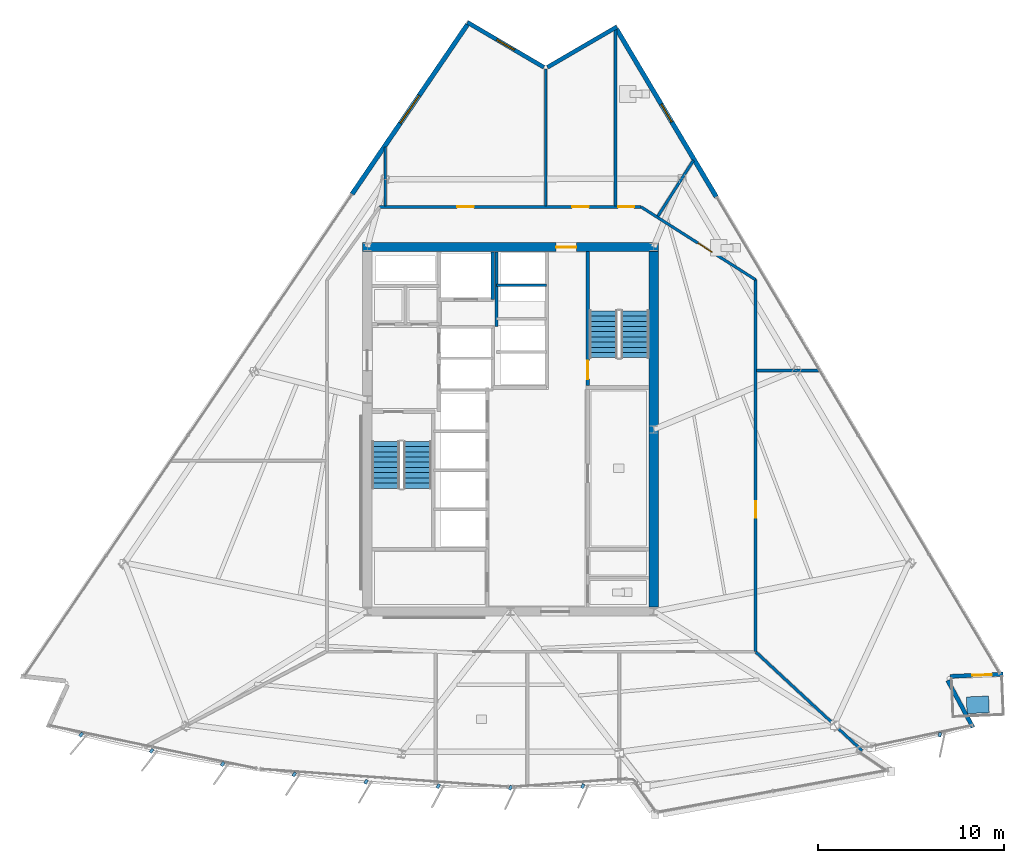
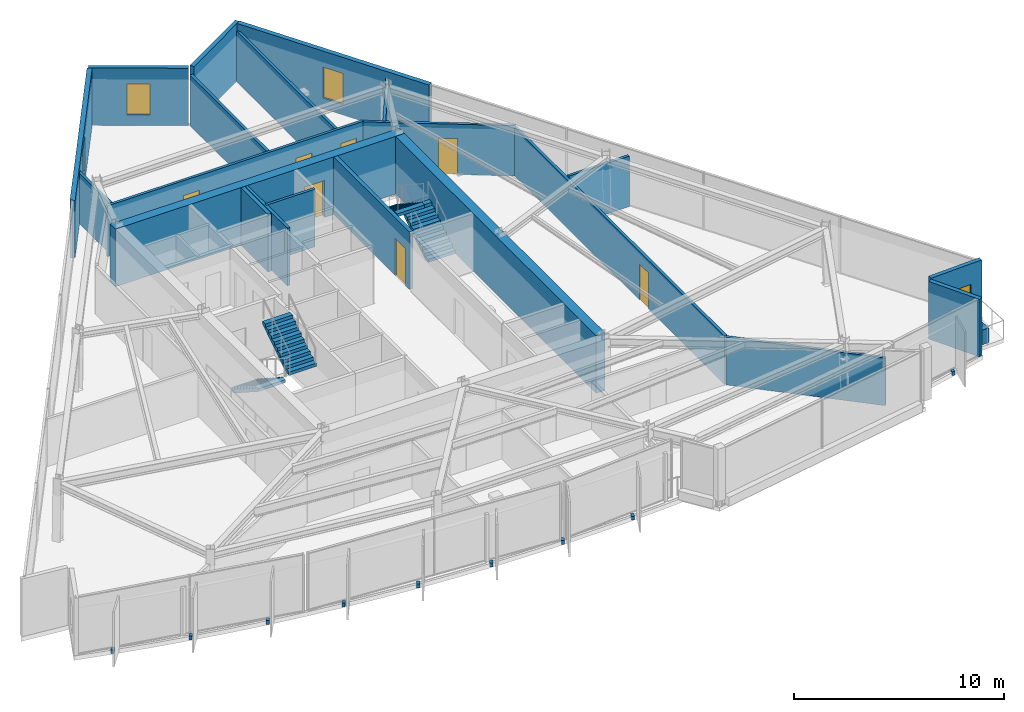
# One storey, part 8 of 12: 21 walls, 10 discrete accessories, 8 doors, 4 stair flights, 3 windows, 11 openings, 2 elements without a shape of their own.
"""IFC4 building model written with IfcOpenShell, lengths in metres."""

from ifc_helpers import new_model, si_unit, direction, frame, frame_2d, origin, origin_2d, place, context, subcontext, project, spatial, polyline, rectangle, outline, extrude, material, layer, layer_set, type_object, element, fill, aggregate, save


model = new_model("IFC4")

# Units and contexts
model_context = context("Model", 3, precision=1e-05, world=origin(), true_north=direction((0.0, 1.0)))
body_context = subcontext(model_context, "Body", "Model", "MODEL_VIEW")
ifc_project = project(units=[si_unit("LENGTHUNIT", "METRE"), si_unit("AREAUNIT", "SQUARE_METRE"), si_unit("VOLUMEUNIT", "CUBIC_METRE"), si_unit("PLANEANGLEUNIT", "RADIAN"), si_unit("MASSUNIT", "GRAM", prefix="KILO")], contexts=[model_context])

# Site, building, storey
site_placement = place(None, origin())
site = spatial("IfcSite", under=ifc_project, at=site_placement, CompositionType="ELEMENT")
building_placement = place(site_placement, origin())
building = spatial("IfcBuilding", under=site, at=building_placement, Name="Savorim Split Tower", CompositionType="ELEMENT")
storey_placement = place(building_placement, frame((0.0, 0.0, 171.0)))
storey = spatial("IfcBuildingStorey", under=building, at=storey_placement, Name="L45", CompositionType="ELEMENT", Elevation=171.0)

# Wall, opening, door
ifc_material_1 = material(Name="Concrete C60/75", Category="concrete")
ifc_layer_1 = layer(ifc_material_1, 0.5)
ifc_layer_set_1 = layer_set([ifc_layer_1], Name="WAL-COR-SH500")
wall_type_1 = type_object("IfcWallType", Name="WAL-COR-SH500", PredefinedType="SHEAR", material=ifc_layer_set_1)
wall_1_placement = place(storey_placement, frame((7.949951171875, 10.199951171875, 0.0), z_axis=(0.0, 0.0, 1.0), x_axis=(-1.0, 0.0, 0.0)))
wall_1 = element("IfcWall", 1, at=wall_1_placement, inside=storey, type_object=wall_type_1, Name="L45 Offset Core North Shear Wall", PredefinedType="SHEAR", context=body_context, shape_type="SweptSolid", body=[
    extrude(rectangle(XDim=15.89990234375, YDim=0.5, at=frame_2d((7.949951171875, 0.0))), origin(), (0.0, 0.0, 1.0), 3.35009765625),
])
opening_1_placement = place(wall_1_placement, frame((4.39990234375, 0.0, 0.0)))
opening_1 = element("IfcOpeningElement", 2, at=opening_1_placement, cuts=wall_1, Name="Opening DI-03", PredefinedType="OPENING", context=body_context, shape_type="SweptSolid", body=[
    extrude(rectangle(XDim=1.10009765625, YDim=2.14990234375, at=frame_2d((0.550048828125, 1.074951171875))), frame((0.0, 0.260009765625, 0.0), z_axis=(0.0, -1.0, 0.0), x_axis=(1.0, 0.0, 0.0)), (0.0, 0.0, 1.0), 0.52001953125),
])
ifc_material_2 = material(Name="Timber Fire Door Leaf", Category="wood")
door_type_1 = type_object("IfcDoorType", Name="DOR-FIR-1100", OperationType="NOTDEFINED", PredefinedType="DOOR", material=ifc_material_2)
door_1_placement = place(opening_1_placement, origin())
door_1 = element("IfcDoor", 3, at=door_1_placement, inside=storey, type_object=door_type_1, Name="DOR-L45-COR-NLOB - L45 North Corridor Lobby Fire Door", OperationType="SINGLE_SWING_RIGHT", OverallHeight=2.14990234375, OverallWidth=1.10009765625, PredefinedType="DOOR", context=body_context, shape_type="SweptSolid", body=[
    extrude(rectangle(XDim=1.10009765625, YDim=2.14990234375, at=frame_2d((0.550048828125, 1.074951171875))), frame((0.0, 0.02490234375, 0.0), z_axis=(0.0, -1.0, 0.0), x_axis=(1.0, 0.0, 0.0)), (0.0, 0.0, 1.0), 0.050048828125),
])
fill(opening_1, door_1)

# Walls
wall_2_placement = place(storey_placement, frame((7.699951171875, 9.949951171875, 0.0), z_axis=(0.0, 0.0, 1.0), x_axis=(0.0, -1.0, 0.0)))
element("IfcWall", 4, at=wall_2_placement, inside=storey, type_object=wall_type_1, Name="L45 Offset Core East Shear Wall", PredefinedType="SHEAR", context=body_context, shape_type="SweptSolid", body=[
    extrude(rectangle(XDim=19.099853515625, YDim=0.5, at=frame_2d((9.5498046875, 0.0))), origin(), (0.0, 0.0, 1.0), 3.35009765625),
])
ifc_material_3 = material(Name="Precast concrete C40/50", Category="concrete")
ifc_layer_2 = layer(ifc_material_3, 0.219970703125)
ifc_layer_set_2 = layer_set([ifc_layer_2], Name="WAL-EXT-CRN220")
wall_type_2 = type_object("IfcWallType", Name="WAL-EXT-CRN220", PredefinedType="SOLIDWALL", material=ifc_layer_set_2)
wall_3_placement = place(storey_placement, frame((23.51123046875, -13.102294921875, 0.0), z_axis=(0.0, 0.0, 1.0), x_axis=(0.472804807667, -0.881167188362, 0.0)))
element("IfcWall", 5, at=wall_3_placement, inside=storey, type_object=wall_type_2, Name="L45 Notched Corner Facade Wall SE1", PredefinedType="SOLIDWALL", context=body_context, shape_type="SweptSolid", body=[
    extrude(rectangle(XDim=2.867919921875, YDim=0.219970703125, at=frame_2d((1.43408203125, 0.0))), origin(), (0.0, 0.0, 1.0), 3.35009765625),
])

# Wall, opening, door
wall_4_placement = place(storey_placement, frame((26.495849609375, -12.766845703125, 0.0), z_axis=(0.0, 0.0, 1.0), x_axis=(-0.999095763679, -0.042516526188, 0.0)))
wall_4 = element("IfcWall", 6, at=wall_4_placement, inside=storey, type_object=wall_type_2, Name="L45 Notched Corner Facade Wall SE", PredefinedType="SOLIDWALL", context=body_context, shape_type="SweptSolid", body=[
    extrude(rectangle(XDim=2.865478515625, YDim=0.219970703125, at=frame_2d((1.4326171875, 0.0))), origin(), (0.0, 0.0, 1.0), 3.35009765625),
])
opening_2_placement = place(wall_4_placement, frame((0.607666015625, 0.0, 0.0)))
opening_2 = element("IfcOpeningElement", 7, at=opening_2_placement, cuts=wall_4, Name="Opening DB-01", PredefinedType="OPENING", context=body_context, shape_type="SweptSolid", body=[
    extrude(rectangle(XDim=1.050048828125, YDim=2.14990234375, at=frame_2d((0.52490234375, 1.074951171875))), frame((0.0, 0.119873046875, 0.0), z_axis=(0.0, -1.0, 0.0), x_axis=(1.0, 0.0, 0.0)), (0.0, 0.0, 1.0), 0.239990234375),
])
ifc_material_4 = material(Name="Charcoal Anodised Aluminium", Category="aluminium")
door_type_2 = type_object("IfcDoorType", Name="DOR-BAL-1050", OperationType="NOTDEFINED", PredefinedType="DOOR", material=ifc_material_4)
door_2_placement = place(opening_2_placement, origin())
door_2 = element("IfcDoor", 8, at=door_2_placement, inside=storey, type_object=door_type_2, Name="DOR-L45-TBAL-SE - L45 Planted Tree Balcony Door SE", OperationType="SINGLE_SWING_RIGHT", OverallHeight=2.14990234375, OverallWidth=1.050048828125, PredefinedType="DOOR", context=body_context, shape_type="SweptSolid", body=[
    extrude(rectangle(XDim=1.050048828125, YDim=2.14990234375, at=frame_2d((0.52490234375, 1.074951171875))), frame((0.0, 0.02490234375, 0.0), z_axis=(0.0, -1.0, 0.0), x_axis=(1.0, 0.0, 0.0)), (0.0, 0.0, 1.0), 0.050048828125),
])
fill(opening_2, door_2)

# Wall
wall_5_placement = place(storey_placement, frame((1.987060546875, 19.867919921875, 0.0), z_axis=(0.0, 0.0, 1.0), x_axis=(0.863979520686, 0.503526948469, 0.0)))
element("IfcWall", 9, at=wall_5_placement, inside=storey, type_object=wall_type_2, Name="L45 Notched Corner Facade Wall NE1", PredefinedType="SOLIDWALL", context=body_context, shape_type="SweptSolid", body=[
    extrude(rectangle(XDim=4.323974609375, YDim=0.219970703125, at=frame_2d((2.162109375, 0.0))), origin(), (0.0, 0.0, 1.0), 3.35009765625),
])

# Wall, opening, window
wall_6_placement = place(storey_placement, frame((-2.32177734375, 22.288818359375, 0.0), z_axis=(0.0, 0.0, 1.0), x_axis=(0.862111523483, -0.506718581738, 0.0)))
wall_6 = element("IfcWall", 10, at=wall_6_placement, inside=storey, type_object=wall_type_2, Name="L45 Notched Corner Facade Wall N", PredefinedType="SOLIDWALL", context=body_context, shape_type="SweptSolid", body=[
    extrude(rectangle(XDim=4.777099609375, YDim=0.219970703125, at=frame_2d((2.388671875, 0.0))), origin(), (0.0, 0.0, 1.0), 3.35009765625),
])
opening_3_placement = place(wall_6_placement, frame((1.838623046875, 0.0, 0.6201171875)))
opening_3 = element("IfcOpeningElement", 11, at=opening_3_placement, cuts=wall_6, Name="Opening WN-09", PredefinedType="OPENING", context=body_context, shape_type="SweptSolid", body=[
    extrude(rectangle(XDim=1.10009765625, YDim=1.800048828125, at=frame_2d((0.550048828125, 0.89990234375))), frame((0.0, 0.119873046875, 0.0), z_axis=(0.0, -1.0, 0.0), x_axis=(1.0, 0.0, 0.0)), (0.0, 0.0, 1.0), 0.239990234375),
])
ifc_material_5 = material(Name="Low-E Operable Double Glazing", Category="glass")
window_type_1 = type_object("IfcWindowType", Name="WIN-TWR-1100x1800", PartitioningType="SINGLE_PANEL", PredefinedType="WINDOW", material=ifc_material_5)
window_1_placement = place(opening_3_placement, origin())
window_1 = element("IfcWindow", 12, at=window_1_placement, inside=storey, type_object=window_type_1, Name="L45 Operable Corner Window N", OverallHeight=1.800048828125, OverallWidth=1.10009765625, PartitioningType="SINGLE_PANEL", PredefinedType="WINDOW", context=body_context, shape_type="SweptSolid", body=[
    extrude(rectangle(XDim=1.10009765625, YDim=1.800048828125, at=frame_2d((0.550048828125, 0.89990234375))), frame((0.0, 0.030029296875, 0.0), z_axis=(0.0, -1.0, 0.0), x_axis=(1.0, 0.0, 0.0)), (0.0, 0.0, 1.0), 0.06005859375),
])
fill(opening_3, window_1)

ifc_layer_3 = layer(ifc_material_3, 0.25)
ifc_layer_set_3 = layer_set([ifc_layer_3], Name="WAL-EXT-SPN250")
wall_type_3 = type_object("IfcWallType", Name="WAL-EXT-SPN250", PredefinedType="SOLIDWALL", material=ifc_layer_set_3)
wall_7_placement = place(storey_placement, frame((5.706298828125, 21.918701171875, 0.0), z_axis=(0.0, 0.0, 1.0), x_axis=(0.511079110892, -0.859533677298, 0.0)))
wall_7 = element("IfcWall", 13, at=wall_7_placement, inside=storey, type_object=wall_type_3, Name="L45 East Operable Window Pier", PredefinedType="SOLIDWALL", context=body_context, shape_type="SweptSolid", body=[
    extrude(rectangle(XDim=10.4892578125, YDim=0.25, at=frame_2d((5.24462890625, 0.0))), origin(), (0.0, 0.0, 1.0), 3.35009765625),
])
opening_4_placement = place(wall_7_placement, frame((4.694580078125, 0.0, 0.6201171875)))
opening_4 = element("IfcOpeningElement", 14, at=opening_4_placement, cuts=wall_7, Name="Opening WN-09", PredefinedType="OPENING", context=body_context, shape_type="SweptSolid", body=[
    extrude(rectangle(XDim=1.10009765625, YDim=1.800048828125, at=frame_2d((0.550048828125, 0.89990234375))), frame((0.0, 0.135009765625, 0.0), z_axis=(0.0, -1.0, 0.0), x_axis=(1.0, 0.0, 0.0)), (0.0, 0.0, 1.0), 0.27001953125),
])
window_2_placement = place(opening_4_placement, origin())
window_2 = element("IfcWindow", 15, at=window_2_placement, inside=storey, type_object=window_type_1, Name="L45 East Operable Ventilation Window", OverallHeight=1.800048828125, OverallWidth=1.10009765625, PartitioningType="SINGLE_PANEL", PredefinedType="WINDOW", context=body_context, shape_type="SweptSolid", body=[
    extrude(rectangle(XDim=1.10009765625, YDim=1.800048828125, at=frame_2d((0.550048828125, 0.89990234375))), frame((0.0, 0.030029296875, 0.0), z_axis=(0.0, -1.0, 0.0), x_axis=(1.0, 0.0, 0.0)), (0.0, 0.0, 1.0), 0.06005859375),
])
fill(opening_4, window_2)

wall_8_placement = place(storey_placement, frame((-8.51708984375, 13.053466796875, 0.0), z_axis=(0.0, 0.0, 1.0), x_axis=(0.562463961516, 0.826821801838, 0.0)))
wall_8 = element("IfcWall", 16, at=wall_8_placement, inside=storey, type_object=wall_type_3, Name="L45 West Operable Window Pier", PredefinedType="SOLIDWALL", context=body_context, shape_type="SweptSolid", body=[
    extrude(rectangle(XDim=11.017578125, YDim=0.25, at=frame_2d((5.5087890625, 0.0))), origin(), (0.0, 0.0, 1.0), 3.35009765625),
])
opening_5_placement = place(wall_8_placement, frame((4.60888671875, 0.0, 0.6201171875)))
opening_5 = element("IfcOpeningElement", 17, at=opening_5_placement, cuts=wall_8, Name="Opening WN-04", PredefinedType="OPENING", context=body_context, shape_type="SweptSolid", body=[
    extrude(rectangle(XDim=1.800048828125, YDim=2.10009765625, at=frame_2d((0.89990234375, 1.050048828125))), frame((0.0, 0.135009765625, 0.0), z_axis=(0.0, -1.0, 0.0), x_axis=(1.0, 0.0, 0.0)), (0.0, 0.0, 1.0), 0.27001953125),
])
window_type_2 = type_object("IfcWindowType", Name="WIN-TWR-1800x2100", PartitioningType="DOUBLE_PANEL_VERTICAL", PredefinedType="WINDOW", material=ifc_material_5)
window_3_placement = place(opening_5_placement, origin())
window_3 = element("IfcWindow", 18, at=window_3_placement, inside=storey, type_object=window_type_2, Name="L45 West Operable Ventilation Window", OverallHeight=2.10009765625, OverallWidth=1.800048828125, PartitioningType="SINGLE_PANEL", PredefinedType="WINDOW", context=body_context, shape_type="SweptSolid", body=[
    extrude(rectangle(XDim=1.800048828125, YDim=2.10009765625, at=frame_2d((0.89990234375, 1.050048828125))), frame((0.0, 0.030029296875, 0.0), z_axis=(0.0, -1.0, 0.0), x_axis=(1.0, 0.0, 0.0)), (0.0, 0.0, 1.0), 0.06005859375),
])
fill(opening_5, window_3)

# Wall, opening, door
ifc_material_6 = material(Name="Concrete C50/60", Category="concrete")
ifc_layer_4 = layer(ifc_material_6, 0.199951171875)
ifc_layer_set_4 = layer_set([ifc_layer_4], Name="WAL-INT-RC200")
wall_type_4 = type_object("IfcWallType", Name="WAL-INT-RC200", PredefinedType="SOLIDWALL", material=ifc_layer_set_4)
wall_9_placement = place(storey_placement, frame((4.14990234375, 2.75, 0.0), z_axis=(0.0, 0.0, 1.0), x_axis=(0.0, 1.0, 0.0)))
wall_9 = element("IfcWall", 19, at=wall_9_placement, inside=storey, type_object=wall_type_4, Name="L45 Structural Shaft Wall W-L45-CR07", PredefinedType="SOLIDWALL", context=body_context, shape_type="SweptSolid", body=[
    extrude(rectangle(XDim=7.199951171875, YDim=0.199951171875, at=frame_2d((3.60009765625, 0.0))), origin(), (0.0, 0.0, 1.0), 3.35009765625),
])
opening_6_placement = place(wall_9_placement, frame((0.35009765625, 0.0, 0.0)))
opening_6 = element("IfcOpeningElement", 20, at=opening_6_placement, cuts=wall_9, Name="Opening DI-04", PredefinedType="OPENING", context=body_context, shape_type="SweptSolid", body=[
    extrude(rectangle(XDim=1.0, YDim=2.14990234375, at=frame_2d((0.5, 1.074951171875))), frame((0.0, 0.10986328125, 0.0), z_axis=(0.0, -1.0, 0.0), x_axis=(1.0, 0.0, 0.0)), (0.0, 0.0, 1.0), 0.219970703125),
])
door_type_3 = type_object("IfcDoorType", Name="DOR-FIR-1000", OperationType="NOTDEFINED", PredefinedType="DOOR", material=ifc_material_2)
door_3_placement = place(opening_6_placement, origin())
door_3 = element("IfcDoor", 21, at=door_3_placement, inside=storey, type_object=door_type_3, Name="DR-L45-ST2 - L45 Stair ST-2 Enclosure Door", OperationType="SINGLE_SWING_RIGHT", OverallHeight=2.14990234375, OverallWidth=1.0, PredefinedType="DOOR", context=body_context, shape_type="SweptSolid", body=[
    extrude(rectangle(XDim=1.0, YDim=2.14990234375, at=frame_2d((0.5, 1.074951171875))), frame((0.0, 0.02490234375, 0.0), z_axis=(0.0, -1.0, 0.0), x_axis=(1.0, 0.0, 0.0)), (0.0, 0.0, 1.0), 0.050048828125),
])
fill(opening_6, door_3)

# Walls
wall_10_placement = place(storey_placement, frame((-0.949951171875, 7.3798828125, 0.0), z_axis=(0.0, 0.0, 1.0), x_axis=(0.0, 1.0, 0.0)))
element("IfcWall", 22, at=wall_10_placement, inside=storey, type_object=wall_type_4, Name="L45 Partition W-L45-SVLE", PredefinedType="SOLIDWALL", context=body_context, shape_type="SweptSolid", body=[
    extrude(rectangle(XDim=2.565185546875, YDim=0.199951171875, at=frame_2d((1.28271484375, 0.0))), origin(), (0.0, 0.0, 1.0), 3.35009765625),
])
ifc_material_7 = material(Name="Acoustic Gypsum Partition Board")
ifc_layer_5 = layer(ifc_material_7, 0.14990234375)
ifc_layer_set_5 = layer_set([ifc_layer_5], Name="WAL-PAR-150")
wall_type_5 = type_object("IfcWallType", Name="WAL-PAR-150", PredefinedType="PARTITIONING", material=ifc_layer_set_5)
wall_11_placement = place(storey_placement, frame((-0.75, 5.919921875, 0.0), z_axis=(0.0, 0.0, 1.0), x_axis=(0.0, 1.0, 0.0)))
element("IfcWall", 23, at=wall_11_placement, inside=storey, type_object=wall_type_5, Name="L45 Partition W-L45-B3WEST", PredefinedType="PARTITIONING", context=body_context, shape_type="SweptSolid", body=[
    extrude(rectangle(XDim=4.025146484375, YDim=0.14990234375, at=frame_2d((2.0126953125, 0.0))), origin(), (0.0, 0.0, 1.0), 3.35009765625),
])
wall_12_placement = place(storey_placement, frame((-0.75, 8.14990234375, 0.0), z_axis=(0.0, 0.0, 1.0), x_axis=(1.0, 0.0, 0.0)))
element("IfcWall", 24, at=wall_12_placement, inside=storey, type_object=wall_type_5, Name="L45 Partition W-L45-B3DIV3", PredefinedType="PARTITIONING", context=body_context, shape_type="SweptSolid", body=[
    extrude(rectangle(XDim=2.699951171875, YDim=0.14990234375, at=frame_2d((1.35009765625, 0.0))), origin(), (0.0, 0.0, 1.0), 3.35009765625),
])

# Wall, openings, doors
wall_13_placement = place(storey_placement, frame((-7.041015625, 12.360107421875, 0.0), z_axis=(0.0, 0.0, 1.0), x_axis=(1.0, 0.0, 0.0)))
wall_13 = element("IfcWall", 25, at=wall_13_placement, inside=storey, type_object=wall_type_5, Name="L45 Partition W-L45-COR-03", PredefinedType="PARTITIONING", context=body_context, shape_type="SweptSolid", body=[
    extrude(rectangle(XDim=14.064208984375, YDim=0.14990234375, at=frame_2d((7.0322265625, 0.0))), origin(), (0.0, 0.0, 1.0), 2.965087890625),
])
opening_7_placement = place(wall_13_placement, frame((12.83349609375, 0.0, 0.0)))
opening_7 = element("IfcOpeningElement", 26, at=opening_7_placement, cuts=wall_13, Name="Opening DI-13", PredefinedType="OPENING", context=body_context, shape_type="SweptSolid", body=[
    extrude(rectangle(XDim=0.85009765625, YDim=2.10009765625, at=frame_2d((0.425048828125, 1.050048828125))), frame((0.0, 0.0849609375, 0.0), z_axis=(0.0, -1.0, 0.0), x_axis=(1.0, 0.0, 0.0)), (0.0, 0.0, 1.0), 0.169921875),
])
opening_8_placement = place(wall_13_placement, frame((10.356689453125, 0.0, 0.0)))
opening_8 = element("IfcOpeningElement", 27, at=opening_8_placement, cuts=wall_13, Name="Opening DI-06", PredefinedType="OPENING", context=body_context, shape_type="SweptSolid", body=[
    extrude(rectangle(XDim=0.89990234375, YDim=2.10009765625, at=frame_2d((0.449951171875, 1.050048828125))), frame((0.0, 0.0849609375, 0.0), z_axis=(0.0, -1.0, 0.0), x_axis=(1.0, 0.0, 0.0)), (0.0, 0.0, 1.0), 0.169921875),
])
opening_9_placement = place(wall_13_placement, frame((4.16650390625, 0.0, 0.0)))
opening_9 = element("IfcOpeningElement", 28, at=opening_9_placement, cuts=wall_13, Name="Opening DI-06", PredefinedType="OPENING", context=body_context, shape_type="SweptSolid", body=[
    extrude(rectangle(XDim=0.89990234375, YDim=2.10009765625, at=frame_2d((0.449951171875, 1.050048828125))), frame((0.0, 0.0849609375, 0.0), z_axis=(0.0, -1.0, 0.0), x_axis=(1.0, 0.0, 0.0)), (0.0, 0.0, 1.0), 0.169921875),
])
door_type_4 = type_object("IfcDoorType", Name="DOR-FIR-850", OperationType="NOTDEFINED", PredefinedType="DOOR", material=ifc_material_2)
door_4_placement = place(opening_7_placement, origin())
door_4 = element("IfcDoor", 29, at=door_4_placement, inside=storey, type_object=door_type_4, Name="DR-L45-RM08 - L45 Shared Bathroom Entry Door", OperationType="SINGLE_SWING_LEFT", OverallHeight=2.10009765625, OverallWidth=0.85009765625, PredefinedType="DOOR", context=body_context, shape_type="SweptSolid", body=[
    extrude(rectangle(XDim=0.85009765625, YDim=2.10009765625, at=frame_2d((0.425048828125, 1.050048828125))), frame((0.0, 0.02490234375, 0.0), z_axis=(0.0, -1.0, 0.0), x_axis=(1.0, 0.0, 0.0)), (0.0, 0.0, 1.0), 0.050048828125),
])
fill(opening_7, door_4)
door_type_5 = type_object("IfcDoorType", Name="DOR-FIR-900", OperationType="NOTDEFINED", PredefinedType="DOOR", material=ifc_material_2)
door_5_placement = place(opening_8_placement, origin())
door_5 = element("IfcDoor", 30, at=door_5_placement, inside=storey, type_object=door_type_5, Name="DR-L45-RM09 - L45 Quiet Study Room Entry Door", OperationType="SINGLE_SWING_RIGHT", OverallHeight=2.10009765625, OverallWidth=0.89990234375, PredefinedType="DOOR", context=body_context, shape_type="SweptSolid", body=[
    extrude(rectangle(XDim=0.89990234375, YDim=2.10009765625, at=frame_2d((0.449951171875, 1.050048828125))), frame((0.0, 0.02490234375, 0.0), z_axis=(0.0, -1.0, 0.0), x_axis=(1.0, 0.0, 0.0)), (0.0, 0.0, 1.0), 0.050048828125),
])
fill(opening_8, door_5)
door_6_placement = place(opening_9_placement, origin())
door_6 = element("IfcDoor", 31, at=door_6_placement, inside=storey, type_object=door_type_5, Name="DR-L45-RM10 - L45 Maker Workshop Entry Door", OperationType="SINGLE_SWING_LEFT", OverallHeight=2.10009765625, OverallWidth=0.89990234375, PredefinedType="DOOR", context=body_context, shape_type="SweptSolid", body=[
    extrude(rectangle(XDim=0.89990234375, YDim=2.10009765625, at=frame_2d((0.449951171875, 1.050048828125))), frame((0.0, 0.02490234375, 0.0), z_axis=(0.0, -1.0, 0.0), x_axis=(1.0, 0.0, 0.0)), (0.0, 0.0, 1.0), 0.050048828125),
])
fill(opening_9, door_6)

# Wall, opening, door
wall_14_placement = place(storey_placement, frame((7.023193359375, 12.360107421875, 0.0), z_axis=(0.0, 0.0, 1.0), x_axis=(0.84376480085, -0.536713108511, 0.0)))
wall_14 = element("IfcWall", 32, at=wall_14_placement, inside=storey, type_object=wall_type_5, Name="L45 Partition W-L45-COR-04", PredefinedType="PARTITIONING", context=body_context, shape_type="SweptSolid", body=[
    extrude(rectangle(XDim=7.296630859375, YDim=0.14990234375, at=frame_2d((3.6484375, 0.0))), origin(), (0.0, 0.0, 1.0), 2.93505859375),
])
opening_10_placement = place(wall_14_placement, frame((3.624267578125, 0.0, 0.0)))
opening_10 = element("IfcOpeningElement", 33, at=opening_10_placement, cuts=wall_14, Name="Opening DI-11", PredefinedType="OPENING", context=body_context, shape_type="SweptSolid", body=[
    extrude(rectangle(XDim=0.89990234375, YDim=2.10009765625, at=frame_2d((0.449951171875, 1.050048828125))), frame((0.0, 0.0849609375, 0.0), z_axis=(0.0, -1.0, 0.0), x_axis=(1.0, 0.0, 0.0)), (0.0, 0.0, 1.0), 0.169921875),
])
ifc_material_8 = material(Name="Oak Veneer Acoustic Door")
door_type_6 = type_object("IfcDoorType", Name="DOR-WC-900", OperationType="NOTDEFINED", PredefinedType="DOOR", material=ifc_material_8)
door_7_placement = place(opening_10_placement, origin())
door_7 = element("IfcDoor", 34, at=door_7_placement, inside=storey, type_object=door_type_6, Name="DR-L45-RM07 - L45 Shared Bathroom Entry Door", OperationType="SINGLE_SWING_RIGHT", OverallHeight=2.10009765625, OverallWidth=0.89990234375, PredefinedType="DOOR", context=body_context, shape_type="SweptSolid", body=[
    extrude(rectangle(XDim=0.89990234375, YDim=2.10009765625, at=frame_2d((0.449951171875, 1.050048828125))), frame((0.0, 0.02490234375, 0.0), z_axis=(0.0, -1.0, 0.0), x_axis=(1.0, 0.0, 0.0)), (0.0, 0.0, 1.0), 0.050048828125),
])
fill(opening_10, door_7)

wall_15_placement = place(storey_placement, frame((13.179931640625, 8.44384765625, 0.0), z_axis=(0.0, 0.0, 1.0), x_axis=(0.0, -1.0, 0.0)))
wall_15 = element("IfcWall", 35, at=wall_15_placement, inside=storey, type_object=wall_type_5, Name="L45 Partition W-L45-COR-05", PredefinedType="PARTITIONING", context=body_context, shape_type="SweptSolid", body=[
    extrude(rectangle(XDim=20.00390625, YDim=0.14990234375, at=frame_2d((10.001953125, 0.0))), origin(), (0.0, 0.0, 1.0), 2.824951171875),
])
opening_11_placement = place(wall_15_placement, frame((11.9052734375, 0.0, 0.0)))
opening_11 = element("IfcOpeningElement", 36, at=opening_11_placement, cuts=wall_15, Name="Opening DI-06", PredefinedType="OPENING", context=body_context, shape_type="SweptSolid", body=[
    extrude(rectangle(XDim=0.89990234375, YDim=2.10009765625, at=frame_2d((0.449951171875, 1.050048828125))), frame((0.0, 0.0849609375, 0.0), z_axis=(0.0, -1.0, 0.0), x_axis=(1.0, 0.0, 0.0)), (0.0, 0.0, 1.0), 0.169921875),
])
door_8_placement = place(opening_11_placement, origin())
door_8 = element("IfcDoor", 37, at=door_8_placement, inside=storey, type_object=door_type_5, Name="DR-L45-RM06 - L45 Maker Workshop Entry Door", OperationType="SINGLE_SWING_LEFT", OverallHeight=2.10009765625, OverallWidth=0.89990234375, PredefinedType="DOOR", context=body_context, shape_type="SweptSolid", body=[
    extrude(rectangle(XDim=0.89990234375, YDim=2.10009765625, at=frame_2d((0.449951171875, 1.050048828125))), frame((0.0, 0.02490234375, 0.0), z_axis=(0.0, -1.0, 0.0), x_axis=(1.0, 0.0, 0.0)), (0.0, 0.0, 1.0), 0.050048828125),
])
fill(opening_11, door_8)

# Walls
wall_16_placement = place(storey_placement, frame((13.19873046875, -11.578857421875, 0.0), z_axis=(0.0, 0.0, 1.0), x_axis=(0.732995559775, -0.680233422694, 0.0)))
element("IfcWall", 38, at=wall_16_placement, inside=storey, type_object=wall_type_5, Name="L45 Partition W-L45-PRAD04", PredefinedType="PARTITIONING", context=body_context, shape_type="SweptSolid", body=[
    extrude(rectangle(XDim=7.78759765625, YDim=0.14990234375, at=frame_2d((3.893798828125, 0.0))), origin(), (0.0, 0.0, 1.0), 2.77490234375),
])
wall_17_placement = place(storey_placement, frame((13.239990234375, 3.558837890625, 0.0), z_axis=(0.0, 0.0, 1.0), x_axis=(1.0, 0.0, 0.0)))
element("IfcWall", 39, at=wall_17_placement, inside=storey, type_object=wall_type_5, Name="L45 Partition W-L45-PRAD06", PredefinedType="PARTITIONING", context=body_context, shape_type="SweptSolid", body=[
    extrude(rectangle(XDim=3.3251953125, YDim=0.14990234375, at=frame_2d((1.66259765625, 0.0))), origin(), (0.0, 0.0, 1.0), 2.93505859375),
])
wall_18_placement = place(storey_placement, frame((7.9248046875, 11.857666015625, 0.0), z_axis=(0.0, 0.0, 1.0), x_axis=(0.536716115778, 0.84376288794, 0.0)))
element("IfcWall", 40, at=wall_18_placement, inside=storey, type_object=wall_type_5, Name="L45 Partition W-L45-PRAD07", PredefinedType="PARTITIONING", context=body_context, shape_type="SweptSolid", body=[
    extrude(rectangle(XDim=3.568603515625, YDim=0.14990234375, at=frame_2d((1.7841796875, 0.0))), origin(), (0.0, 0.0, 1.0), 2.93505859375),
])
wall_19_placement = place(storey_placement, frame((-6.74072265625, 12.419921875, 0.0), z_axis=(0.0, 0.0, 1.0), x_axis=(0.0, 1.0, 0.0)))
element("IfcWall", 41, at=wall_19_placement, inside=storey, type_object=wall_type_5, Name="L45 Partition W-L45-PRAD08", PredefinedType="PARTITIONING", context=body_context, shape_type="SweptSolid", body=[
    extrude(rectangle(XDim=3.15576171875, YDim=0.14990234375, at=frame_2d((1.577880859375, 0.0))), origin(), (0.0, 0.0, 1.0), 2.93505859375),
])
wall_20_placement = place(storey_placement, frame((1.8916015625, 12.419921875, 0.0), z_axis=(0.0, 0.0, 1.0), x_axis=(0.0, 1.0, 0.0)))
element("IfcWall", 42, at=wall_20_placement, inside=storey, type_object=wall_type_5, Name="L45 Partition W-L45-SUB01", PredefinedType="PARTITIONING", context=body_context, shape_type="SweptSolid", body=[
    extrude(rectangle(XDim=7.361572265625, YDim=0.14990234375, at=frame_2d((3.6806640625, 0.0))), origin(), (0.0, 0.0, 1.0), 2.93505859375),
])
wall_21_placement = place(storey_placement, frame((5.639892578125, 12.419921875, 0.0), z_axis=(0.0, 0.0, 1.0), x_axis=(0.0, 1.0, 0.0)))
element("IfcWall", 43, at=wall_21_placement, inside=storey, type_object=wall_type_5, Name="L45 Partition W-L45-SUB04", PredefinedType="PARTITIONING", context=body_context, shape_type="SweptSolid", body=[
    extrude(rectangle(XDim=9.5126953125, YDim=0.14990234375, at=frame_2d((4.75634765625, 0.0))), origin(), (0.0, 0.0, 1.0), 2.93505859375),
])

# Stair, stair flights
stair_type = type_object("IfcStairType", Name="STR-DOG-3600", PredefinedType="HALF_TURN_STAIR", material=ifc_material_6)
stair_1_placement = place(storey_placement, origin())
stair_1 = element("IfcStair", 44, at=stair_1_placement, inside=storey, type_object=stair_type, Name="L45 Core Protected Exit Stair ST-1", PredefinedType="HALF_TURN_STAIR")
stair_flight_type = type_object("IfcStairFlightType", Name="SFL-DOG-3600", PredefinedType="STRAIGHT", material=ifc_material_6)
stair_flight_1_placement = place(storey_placement, frame((-6.699951171875, -0.25, 0.0), z_axis=(0.0, 0.0, 1.0), x_axis=(0.0, -1.0, 0.0)))
stair_flight_1 = element("IfcStairFlight", 45, at=stair_flight_1_placement, type_object=stair_flight_type, Name="ST-1 flight 1", NumberOfRisers=10, NumberOfTreads=9, PredefinedType="STRAIGHT", RiserHeight=0.18, TreadLength=0.28, context=body_context, shape_type="SweptSolid", body=[
    extrude(outline(polyline([(0.0, 0.0), (0.0, 0.179931640625), (0.280029296875, 0.179931640625), (0.280029296875, 0.360107421875), (0.56005859375, 0.360107421875), (0.56005859375, 0.5400390625), (0.840087890625, 0.5400390625), (0.840087890625, 0.719970703125), (1.1201171875, 0.719970703125), (1.1201171875, 0.89990234375), (1.39990234375, 0.89990234375), (1.39990234375, 1.080078125), (1.679931640625, 1.080078125), (1.679931640625, 1.260009765625), (1.9599609375, 1.260009765625), (1.9599609375, 1.43994140625), (2.239990234375, 1.43994140625), (2.239990234375, 1.6201171875), (2.52001953125, 1.6201171875), (2.52001953125, 1.800048828125), (2.52001953125, 1.44189453125), (0.277099609375, 0.0), (0.0, 0.0)])), frame((0.0, 0.75, 0.0), z_axis=(0.0, -1.0, 0.0), x_axis=(1.0, 0.0, 0.0)), (0.0, 0.0, 1.0), 1.5),
])
stair_flight_2_placement = place(storey_placement, frame((-5.0, -2.77001953125, 1.800048828125), z_axis=(0.0, 0.0, 1.0), x_axis=(0.0, 1.0, 0.0)))
stair_flight_2 = element("IfcStairFlight", 46, at=stair_flight_2_placement, type_object=stair_flight_type, Name="ST-1 flight 2", NumberOfRisers=10, NumberOfTreads=9, PredefinedType="STRAIGHT", RiserHeight=0.18, TreadLength=0.28, context=body_context, shape_type="SweptSolid", body=[
    extrude(outline(polyline([(0.0, 0.0), (0.0, 0.179931640625), (0.280029296875, 0.179931640625), (0.280029296875, 0.360107421875), (0.56005859375, 0.360107421875), (0.56005859375, 0.5400390625), (0.840087890625, 0.5400390625), (0.840087890625, 0.719970703125), (1.1201171875, 0.719970703125), (1.1201171875, 0.89990234375), (1.39990234375, 0.89990234375), (1.39990234375, 1.080078125), (1.679931640625, 1.080078125), (1.679931640625, 1.260009765625), (1.9599609375, 1.260009765625), (1.9599609375, 1.43994140625), (2.239990234375, 1.43994140625), (2.239990234375, 1.6201171875), (2.52001953125, 1.6201171875), (2.52001953125, 1.800048828125), (2.52001953125, 1.44189453125), (0.277099609375, 0.0), (0.0, 0.0)])), frame((0.0, 0.75, 0.0), z_axis=(0.0, -1.0, 0.0), x_axis=(1.0, 0.0, 0.0)), (0.0, 0.0, 1.0), 1.5),
])
aggregate(stair_1, [stair_flight_1, stair_flight_2])

stair_2_placement = place(storey_placement, origin())
stair_2 = element("IfcStair", 47, at=stair_2_placement, inside=storey, type_object=stair_type, Name="L45 Core Protected Exit Stair ST-2", PredefinedType="HALF_TURN_STAIR")
stair_flight_3_placement = place(storey_placement, frame((6.699951171875, 4.25, 0.0), z_axis=(0.0, 0.0, 1.0), x_axis=(0.0, 1.0, 0.0)))
stair_flight_3 = element("IfcStairFlight", 48, at=stair_flight_3_placement, type_object=stair_flight_type, Name="ST-2 flight 1", NumberOfRisers=10, NumberOfTreads=9, PredefinedType="STRAIGHT", RiserHeight=0.18, TreadLength=0.28, context=body_context, shape_type="SweptSolid", body=[
    extrude(outline(polyline([(0.0, 0.0), (0.0, 0.179931640625), (0.280029296875, 0.179931640625), (0.280029296875, 0.360107421875), (0.56005859375, 0.360107421875), (0.56005859375, 0.5400390625), (0.840087890625, 0.5400390625), (0.840087890625, 0.719970703125), (1.1201171875, 0.719970703125), (1.1201171875, 0.89990234375), (1.39990234375, 0.89990234375), (1.39990234375, 1.080078125), (1.679931640625, 1.080078125), (1.679931640625, 1.260009765625), (1.9599609375, 1.260009765625), (1.9599609375, 1.43994140625), (2.239990234375, 1.43994140625), (2.239990234375, 1.6201171875), (2.52001953125, 1.6201171875), (2.52001953125, 1.800048828125), (2.52001953125, 1.44189453125), (0.277099609375, 0.0), (0.0, 0.0)])), frame((0.0, 0.75, 0.0), z_axis=(0.0, -1.0, 0.0), x_axis=(1.0, 0.0, 0.0)), (0.0, 0.0, 1.0), 1.5),
])
stair_flight_4_placement = place(storey_placement, frame((5.0, 6.77001953125, 1.800048828125), z_axis=(0.0, 0.0, 1.0), x_axis=(0.0, -1.0, 0.0)))
stair_flight_4 = element("IfcStairFlight", 49, at=stair_flight_4_placement, type_object=stair_flight_type, Name="ST-2 flight 2", NumberOfRisers=10, NumberOfTreads=9, PredefinedType="STRAIGHT", RiserHeight=0.18, TreadLength=0.28, context=body_context, shape_type="SweptSolid", body=[
    extrude(outline(polyline([(0.0, 0.0), (0.0, 0.179931640625), (0.280029296875, 0.179931640625), (0.280029296875, 0.360107421875), (0.56005859375, 0.360107421875), (0.56005859375, 0.5400390625), (0.840087890625, 0.5400390625), (0.840087890625, 0.719970703125), (1.1201171875, 0.719970703125), (1.1201171875, 0.89990234375), (1.39990234375, 0.89990234375), (1.39990234375, 1.080078125), (1.679931640625, 1.080078125), (1.679931640625, 1.260009765625), (1.9599609375, 1.260009765625), (1.9599609375, 1.43994140625), (2.239990234375, 1.43994140625), (2.239990234375, 1.6201171875), (2.52001953125, 1.6201171875), (2.52001953125, 1.800048828125), (2.52001953125, 1.44189453125), (0.277099609375, 0.0), (0.0, 0.0)])), frame((0.0, 0.75, 0.0), z_axis=(0.0, -1.0, 0.0), x_axis=(1.0, 0.0, 0.0)), (0.0, 0.0, 1.0), 1.5),
])
aggregate(stair_2, [stair_flight_3, stair_flight_4])

# Discrete accessories
ifc_material_9 = material(Name="Steel S355", Category="steel")
discrete_accessory_type_1 = type_object("IfcDiscreteAccessoryType", Name="ACC-BRK-FIN", PredefinedType="BRACKET", material=ifc_material_9)
for number, where, z_axis, x_axis, name in (
    (50, (-23.090576171875, -16.022705078125, -0.18994140625), (0.0, 0.0, 1.0), (-0.643719022682, -0.765261928909, 0.0), "L45 Fin Slab-Edge Cleat Bracket 01"),
    (51, (-19.301513671875, -16.89013671875, -0.18994140625), (0.0, 0.0, 1.0), (-0.611868076908, -0.790959832394, 0.0), "L45 Fin Slab-Edge Cleat Bracket 02"),
    (52, (-15.47998046875, -17.60205078125, -0.18994140625), (0.0, 0.0, 1.0), (-0.578993757737, -0.815331974414, 0.0), "L45 Fin Slab-Edge Cleat Bracket 03"),
    (53, (-11.6328125, -18.156982421875, -0.18994140625), (0.0, 0.0, 1.0), (-0.545148321708, -0.838339613366, 0.0), "L45 Fin Slab-Edge Cleat Bracket 04"),
    (54, (-7.76611328125, -18.553955078125, -0.18994140625), (0.0, 0.0, 1.0), (-0.510391336723, -0.859942255851, 0.0), "L45 Fin Slab-Edge Cleat Bracket 05"),
    (55, (-3.88623046875, -18.79248046875, -0.18994140625), (0.0, 0.0, 1.0), (-0.474778051978, -0.880105562623, 0.0), "L45 Fin Slab-Edge Cleat Bracket 06"),
    (56, (0.0, -18.8720703125, -0.18994140625), (0.0, 0.0, 1.0), (-0.438371146789, -0.898794046299, 0.0), "L45 Fin Slab-Edge Cleat Bracket 07"),
    (57, (3.88623046875, -18.79248046875, -0.18994140625), (0.0, 0.0, 1.0), (-0.401230091723, -0.915977299662, 0.0), "L45 Fin Slab-Edge Cleat Bracket 08"),
    (58, (23.090576171875, -16.022705078125, -0.18994140625), (0.0, 0.0, 1.0), (-0.206721626106, -0.978399800337, 0.0), "L45 Fin Slab-Edge Cleat Bracket 13"),
):
    element("IfcDiscreteAccessory", number, at=place(storey_placement, frame(where, z_axis=z_axis, x_axis=x_axis)), inside=storey, type_object=discrete_accessory_type_1, Name=name, PredefinedType="BRACKET", context=body_context, shape_type="SweptSolid", body=[
        extrude(rectangle(XDim=0.239990234375, YDim=0.159912109375, at=origin_2d()), origin(), (0.0, 0.0, 1.0), 0.219970703125),
    ])
ifc_material_10 = material(Name="Architectural Precast Planter Concrete C40/50", Category="concrete")
discrete_accessory_type_2 = type_object("IfcDiscreteAccessoryType", Name="ACC-PLN-TREE", PredefinedType="USERDEFINED", material=ifc_material_10)
discrete_accessory_placement = place(storey_placement, frame((25.132080078125, -14.416259765625, 0.0), z_axis=(0.0, 0.0, 1.0), x_axis=(0.999096173261, 0.042506900314, 0.0)))
element("IfcDiscreteAccessory", 59, at=discrete_accessory_placement, inside=storey, type_object=discrete_accessory_type_2, Name="L45 Balcony Precast Tree Planter SE", ObjectType="PLANTER", PredefinedType="USERDEFINED", context=body_context, shape_type="SweptSolid", body=[
    extrude(rectangle(XDim=1.199951171875, YDim=0.89990234375, at=origin_2d()), origin(), (0.0, 0.0, 1.0), 0.85009765625),
])

save(model, "model.ifc")
